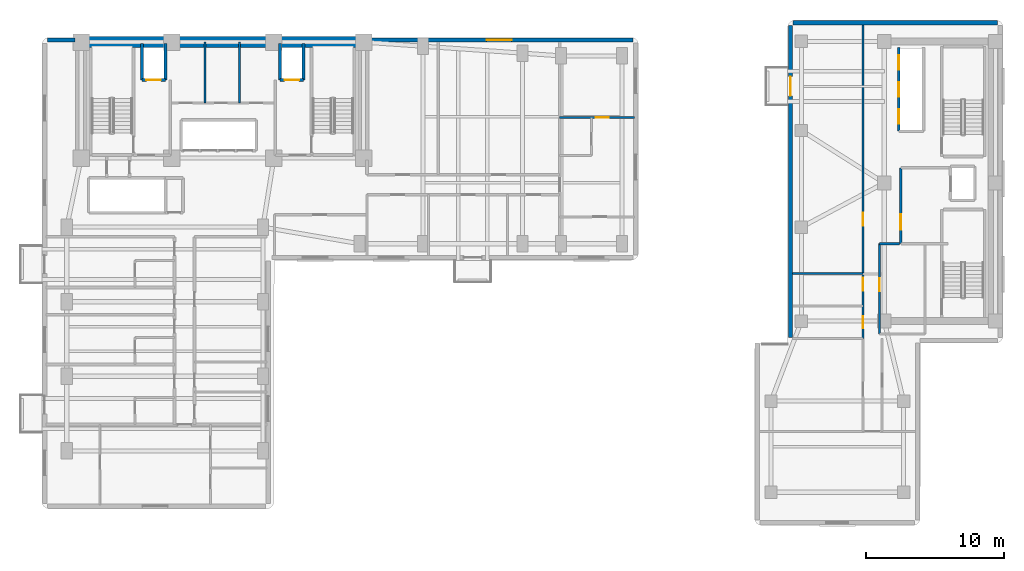
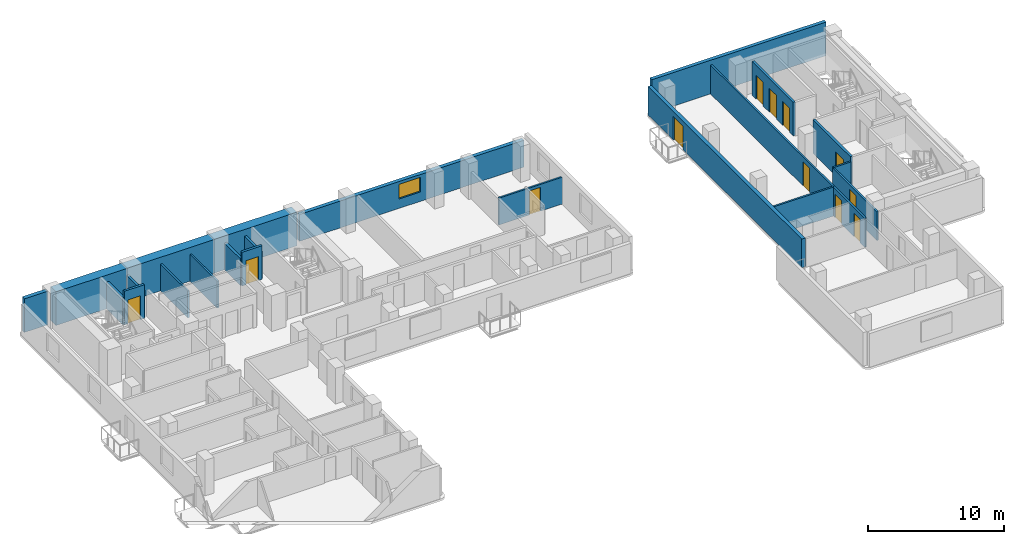
# One storey, part 6 of 11: 20 walls, 12 doors, 1 window, 13 openings.
"""IFC4 building model written with IfcOpenShell, lengths in metres."""

from ifc_helpers import new_model, si_unit, direction, frame, frame_2d, origin, place, context, subcontext, project, spatial, rectangle, extrude, material, layer, layer_set, type_object, element, fill, save


model = new_model("IFC4")

# Units and contexts
model_context = context("Model", 3, precision=1e-05, world=origin(), true_north=direction((0.0, 1.0)))
body_context = subcontext(model_context, "Body", "Model", "MODEL_VIEW")
ifc_project = project(units=[si_unit("LENGTHUNIT", "METRE"), si_unit("AREAUNIT", "SQUARE_METRE"), si_unit("VOLUMEUNIT", "CUBIC_METRE"), si_unit("PLANEANGLEUNIT", "RADIAN"), si_unit("MASSUNIT", "GRAM", prefix="KILO")], contexts=[model_context])

# Site, building, storey
site_placement = place(None, origin())
site = spatial("IfcSite", under=ifc_project, at=site_placement, CompositionType="ELEMENT")
building_placement = place(site_placement, origin())
building = spatial("IfcBuilding", under=site, at=building_placement, Name="Kuzgunbayir Cultural Tower", CompositionType="ELEMENT")
storey_placement = place(building_placement, frame((0.0, 0.0, 83.39990234375)))
storey = spatial("IfcBuildingStorey", under=building, at=storey_placement, Name="L23", CompositionType="ELEMENT", Elevation=83.39990234375)

# Wall
ifc_material_1 = material(Name="Concrete C60/75", Category="concrete")
ifc_layer_1 = layer(ifc_material_1, 0.800048828125)
ifc_layer_set_1 = layer_set([ifc_layer_1], Name="Concrete C60/75")
wall_type_1 = type_object("IfcWallType", Name="WAL-CORE-800", PredefinedType="SHEAR", material=ifc_layer_set_1)
wall_1_placement = place(storey_placement, frame((6.449951171875, 42.199951171875, 0.0), z_axis=(0.0, 0.0, 1.0), x_axis=(1.0, 0.0, 0.0)))
element("IfcWall", 1, at=wall_1_placement, inside=storey, type_object=wall_type_1, Name="L23 T1 Core North Shear Wall", PredefinedType="SHEAR", context=body_context, shape_type="SweptSolid", body=[
    extrude(rectangle(XDim=20.449951171875, YDim=0.800048828125, at=frame_2d((10.22509765625, 0.0))), origin(), (0.0, 0.0, 1.0), 3.02001953125),
])

# Wall, opening, door
ifc_material_2 = material(Name="Anatolian Cream Limestone", Category="masonry")
ifc_layer_2 = layer(ifc_material_2, 0.300048828125)
ifc_layer_set_2 = layer_set([ifc_layer_2], Name="Anatolian Cream Limestone")
wall_type_2 = type_object("IfcWallType", Name="WAL-EXT-STONE-300", PredefinedType="STANDARD", material=ifc_layer_set_2)
wall_2_placement = place(storey_placement, frame((57.800048828125, 43.39990234375, 0.0), z_axis=(0.0, 0.0, 1.0), x_axis=(0.0, -1.0, 0.0)))
wall_2 = element("IfcWall", 2, at=wall_2_placement, inside=storey, type_object=wall_type_2, Name="L23 Companion West Limestone Wall", PredefinedType="STANDARD", context=body_context, shape_type="SweptSolid", body=[
    extrude(rectangle(XDim=22.599853515625, YDim=0.300048828125, at=frame_2d((11.2998046875, 0.0))), origin(), (0.0, 0.0, 1.0), 2.570068359375),
])
opening_1_placement = place(wall_2_placement, frame((3.699951171875, 0.0, 0.0)))
opening_1 = element("IfcOpeningElement", 3, at=opening_1_placement, cuts=wall_2, Name="Opening BD-15", PredefinedType="OPENING", context=body_context, shape_type="SweptSolid", body=[
    extrude(rectangle(XDim=1.39990234375, YDim=2.10009765625, at=frame_2d((0.699951171875, 1.050048828125))), frame((0.0, 0.16015625, 0.0), z_axis=(0.0, -1.0, 0.0), x_axis=(1.0, 0.0, 0.0)), (0.0, 0.0, 1.0), 0.320068359375),
])
ifc_material_3 = material(Name="Thermally Broken Glazed Aluminium", Category="aluminium")
door_type_1 = type_object("IfcDoorType", Name="DR-BALCONY-150", OperationType="SLIDING_TO_RIGHT", PredefinedType="DOOR", material=ifc_material_3)
door_1_placement = place(opening_1_placement, origin())
door_1 = element("IfcDoor", 4, at=door_1_placement, inside=storey, type_object=door_type_1, Name="L23 Companion Balcony Door BAL-L23-T2W3", OperationType="SLIDING_TO_RIGHT", OverallHeight=2.10009765625, OverallWidth=1.39990234375, PredefinedType="DOOR", context=body_context, shape_type="SweptSolid", body=[
    extrude(rectangle(XDim=1.39990234375, YDim=2.10009765625, at=frame_2d((0.699951171875, 1.050048828125))), frame((0.0, 0.02490234375, 0.0), z_axis=(0.0, -1.0, 0.0), x_axis=(1.0, 0.0, 0.0)), (0.0, 0.0, 1.0), 0.050048828125),
])
fill(opening_1, door_1)

# Wall
wall_3_placement = place(storey_placement, frame((72.800048828125, 43.60009765625, 0.0), z_axis=(0.0, 0.0, 1.0), x_axis=(-1.0, 0.0, 0.0)))
element("IfcWall", 5, at=wall_3_placement, inside=storey, type_object=wall_type_2, Name="L23 Companion North Limestone Wall", PredefinedType="STANDARD", context=body_context, shape_type="SweptSolid", body=[
    extrude(rectangle(XDim=14.800048828125, YDim=0.300048828125, at=frame_2d((7.39990234375, 0.0))), origin(), (0.0, 0.0, 1.0), 3.02001953125),
])

# Wall, opening, window
ifc_material_4 = material(Name="Travertine Buff Ashlar", Category="masonry")
ifc_layer_3 = layer(ifc_material_4, 0.320068359375)
ifc_layer_set_3 = layer_set([ifc_layer_3], Name="Travertine Buff Ashlar")
wall_type_3 = type_object("IfcWallType", Name="WAL-EXT-STONE-320", PredefinedType="STANDARD", material=ifc_layer_set_3)
wall_4_placement = place(storey_placement, frame((46.39990234375, 42.35009765625, 0.0), z_axis=(0.0, 0.0, 1.0), x_axis=(-1.0, 0.0, 0.0)))
wall_4 = element("IfcWall", 6, at=wall_4_placement, inside=storey, type_object=wall_type_3, Name="L23 North Wing B Limestone Wall", PredefinedType="STANDARD", context=body_context, shape_type="SweptSolid", body=[
    extrude(rectangle(XDim=19.0498046875, YDim=0.320068359375, at=frame_2d((9.52490234375, 0.0))), origin(), (0.0, 0.0, 1.0), 2.41015625),
])
opening_2_placement = place(wall_4_placement, frame((8.7900390625, 0.0, 0.85009765625)))
opening_2 = element("IfcOpeningElement", 7, at=opening_2_placement, cuts=wall_4, Name="Opening WH-18", PredefinedType="OPENING", context=body_context, shape_type="SweptSolid", body=[
    extrude(rectangle(XDim=1.800048828125, YDim=1.31005859375, at=frame_2d((0.89990234375, 0.655029296875))), frame((0.0, 0.169921875, 0.0), z_axis=(0.0, -1.0, 0.0), x_axis=(1.0, 0.0, 0.0)), (0.0, 0.0, 1.0), 0.340087890625),
])
ifc_material_5 = material(Name="Solar-Control Triple Glazing", Category="glass")
window_type = type_object("IfcWindowType", Name="WIN-HOTEL-18", PartitioningType="SINGLE_PANEL", PredefinedType="WINDOW", material=ifc_material_5)
window_placement = place(opening_2_placement, origin())
window = element("IfcWindow", 8, at=window_placement, inside=storey, type_object=window_type, Name="L23 CRN Facade Window 6", OverallHeight=1.31005859375, OverallWidth=1.800048828125, PartitioningType="SINGLE_PANEL", PredefinedType="WINDOW", context=body_context, shape_type="SweptSolid", body=[
    extrude(rectangle(XDim=1.800048828125, YDim=1.31005859375, at=frame_2d((0.89990234375, 0.655029296875))), frame((0.0, 0.030029296875, 0.0), z_axis=(0.0, -1.0, 0.0), x_axis=(1.0, 0.0, 0.0)), (0.0, 0.0, 1.0), 0.06005859375),
])
fill(opening_2, window)

# Walls
wall_5_placement = place(storey_placement, frame((6.0, 42.35009765625, 0.0), z_axis=(0.0, 0.0, 1.0), x_axis=(-1.0, 0.0, 0.0)))
element("IfcWall", 9, at=wall_5_placement, inside=storey, type_object=wall_type_3, Name="L23 Core North-West Spandrel Link", PredefinedType="STANDARD", context=body_context, shape_type="SweptSolid", body=[
    extrude(rectangle(XDim=2.0, YDim=0.320068359375, at=frame_2d((1.0, 0.0))), origin(), (0.0, 0.0, 1.0), 3.02001953125),
])
ifc_material_6 = material(Name="Acoustic Double-Stud Drywall", Category="gypsum")
ifc_layer_4 = layer(ifc_material_6, 0.14990234375)
ifc_layer_set_4 = layer_set([ifc_layer_4], Name="Acoustic Double-Stud Drywall")
wall_type_4 = type_object("IfcWallType", Name="WAL-PART-ACOUSTIC-150", PredefinedType="PARTITIONING", material=ifc_layer_set_4)
for number, where, z_axis, x_axis, name in (
    (10, (15.39990234375, 37.800048828125, 0.0), (0.0, 0.0, 1.0), (0.0, 1.0, 0.0), "L23 Core Pod Partition 1"),
    (11, (17.89990234375, 37.800048828125, 0.0), (0.0, 0.0, 1.0), (0.0, 1.0, 0.0), "L23 Core Pod Partition 2"),
):
    element("IfcWall", number, at=place(storey_placement, frame(where, z_axis=z_axis, x_axis=x_axis)), inside=storey, type_object=wall_type_4, Name=name, PredefinedType="PARTITIONING", context=body_context, shape_type="SweptSolid", body=[
        extrude(rectangle(XDim=4.39990234375, YDim=0.14990234375, at=frame_2d((2.199951171875, 0.0))), origin(), (0.0, 0.0, 1.0), 2.41015625),
    ])

# Wall, opening, door
wall_6_placement = place(storey_placement, frame((41.10009765625, 36.75, 0.0), z_axis=(0.0, 0.0, 1.0), x_axis=(1.0, 0.0, 0.0)))
wall_6 = element("IfcWall", 12, at=wall_6_placement, inside=storey, type_object=wall_type_4, Name="L23 Corner Suite Bedroom Wall", PredefinedType="PARTITIONING", context=body_context, shape_type="SweptSolid", body=[
    extrude(rectangle(XDim=5.39990234375, YDim=0.14990234375, at=frame_2d((2.699951171875, 0.0))), origin(), (0.0, 0.0, 1.0), 2.41015625),
])
opening_3_placement = place(wall_6_placement, frame((2.590087890625, 0.0, 0.0)))
opening_3 = element("IfcOpeningElement", 13, at=opening_3_placement, cuts=wall_6, Name="Opening DI-90", PredefinedType="OPENING", context=body_context, shape_type="SweptSolid", body=[
    extrude(rectangle(XDim=0.949951171875, YDim=2.14990234375, at=frame_2d((0.47509765625, 1.074951171875))), frame((0.0, 0.0849609375, 0.0), z_axis=(0.0, -1.0, 0.0), x_axis=(1.0, 0.0, 0.0)), (0.0, 0.0, 1.0), 0.169921875),
])
ifc_material_7 = material(Name="Veneered Oak Single Leaf", Category="wood")
door_type_2 = type_object("IfcDoorType", Name="DR-INT-90", OperationType="NOTDEFINED", PredefinedType="DOOR", material=ifc_material_7)
door_2_placement = place(opening_3_placement, origin())
door_2 = element("IfcDoor", 14, at=door_2_placement, inside=storey, type_object=door_type_2, Name="L23 Corner Bedroom Door", OperationType="SINGLE_SWING_RIGHT", OverallHeight=2.14990234375, OverallWidth=0.949951171875, PredefinedType="DOOR", context=body_context, shape_type="SweptSolid", body=[
    extrude(rectangle(XDim=0.949951171875, YDim=2.14990234375, at=frame_2d((0.47509765625, 1.074951171875))), frame((0.0, 0.02490234375, 0.0), z_axis=(0.0, -1.0, 0.0), x_axis=(1.0, 0.0, 0.0)), (0.0, 0.0, 1.0), 0.050048828125),
])
fill(opening_3, door_2)

wall_7_placement = place(storey_placement, frame((64.25, 21.050048828125, 0.0), z_axis=(0.0, 0.0, 1.0), x_axis=(0.0, 1.0, 0.0)))
wall_7 = element("IfcWall", 15, at=wall_7_placement, inside=storey, type_object=wall_type_4, Name="L23 Companion Archive West Wall", PredefinedType="PARTITIONING", context=body_context, shape_type="SweptSolid", body=[
    extrude(rectangle(XDim=6.550048828125, YDim=0.14990234375, at=frame_2d((3.27490234375, 0.0))), origin(), (0.0, 0.0, 1.0), 2.570068359375),
])
opening_4_placement = place(wall_7_placement, frame((3.10009765625, 0.0, 0.0)))
opening_4 = element("IfcOpeningElement", 16, at=opening_4_placement, cuts=wall_7, Name="Opening DI-90", PredefinedType="OPENING", context=body_context, shape_type="SweptSolid", body=[
    extrude(rectangle(XDim=0.949951171875, YDim=2.14990234375, at=frame_2d((0.47509765625, 1.074951171875))), frame((0.0, 0.0849609375, 0.0), z_axis=(0.0, -1.0, 0.0), x_axis=(1.0, 0.0, 0.0)), (0.0, 0.0, 1.0), 0.169921875),
])
door_3_placement = place(opening_4_placement, origin())
door_3 = element("IfcDoor", 17, at=door_3_placement, inside=storey, type_object=door_type_2, Name="L23 Companion Archive Door", OperationType="SINGLE_SWING_RIGHT", OverallHeight=2.14990234375, OverallWidth=0.949951171875, PredefinedType="DOOR", context=body_context, shape_type="SweptSolid", body=[
    extrude(rectangle(XDim=0.949951171875, YDim=2.14990234375, at=frame_2d((0.47509765625, 1.074951171875))), frame((0.0, 0.02490234375, 0.0), z_axis=(0.0, -1.0, 0.0), x_axis=(1.0, 0.0, 0.0)), (0.0, 0.0, 1.0), 0.050048828125),
])
fill(opening_4, door_3)

# Wall
wall_8_placement = place(storey_placement, frame((64.25, 27.60009765625, 0.0), z_axis=(0.0, 0.0, 1.0), x_axis=(1.0, 0.0, 0.0)))
element("IfcWall", 18, at=wall_8_placement, inside=storey, type_object=wall_type_4, Name="L23 Companion Archive North Wall", PredefinedType="PARTITIONING", context=body_context, shape_type="SweptSolid", body=[
    extrude(rectangle(XDim=1.469970703125, YDim=0.14990234375, at=frame_2d((0.73486328125, 0.0))), origin(), (0.0, 0.0, 1.0), 2.60009765625),
])

# Wall, openings, doors
wall_9_placement = place(storey_placement, frame((63.050048828125, 20.75, 0.0), z_axis=(0.0, 0.0, 1.0), x_axis=(0.0, 1.0, 0.0)))
wall_9 = element("IfcWall", 19, at=wall_9_placement, inside=storey, type_object=wall_type_4, Name="L23 Companion Corridor West Wall", PredefinedType="PARTITIONING", context=body_context, shape_type="SweptSolid", body=[
    extrude(rectangle(XDim=22.699951171875, YDim=0.14990234375, at=frame_2d((11.35009765625, 0.0))), origin(), (0.0, 0.0, 1.0), 2.60009765625),
])
opening_5_placement = place(wall_9_placement, frame((0.72998046875, 0.0, 0.0)))
opening_5 = element("IfcOpeningElement", 20, at=opening_5_placement, cuts=wall_9, Name="Opening DW-85", PredefinedType="OPENING", context=body_context, shape_type="SweptSolid", body=[
    extrude(rectangle(XDim=0.85009765625, YDim=2.10009765625, at=frame_2d((0.425048828125, 1.050048828125))), frame((0.0, 0.0849609375, 0.0), z_axis=(0.0, -1.0, 0.0), x_axis=(1.0, 0.0, 0.0)), (0.0, 0.0, 1.0), 0.169921875),
])
opening_6_placement = place(wall_9_placement, frame((3.429931640625, 0.0, 0.0)))
opening_6 = element("IfcOpeningElement", 21, at=opening_6_placement, cuts=wall_9, Name="Opening DW-95", PredefinedType="OPENING", context=body_context, shape_type="SweptSolid", body=[
    extrude(rectangle(XDim=0.949951171875, YDim=2.10009765625, at=frame_2d((0.47509765625, 1.050048828125))), frame((0.0, 0.0849609375, 0.0), z_axis=(0.0, -1.0, 0.0), x_axis=(1.0, 0.0, 0.0)), (0.0, 0.0, 1.0), 0.169921875),
])
opening_7_placement = place(wall_9_placement, frame((8.14990234375, 0.0, 0.0)))
opening_7 = element("IfcOpeningElement", 22, at=opening_7_placement, cuts=wall_9, Name="Opening DI-90", PredefinedType="OPENING", context=body_context, shape_type="SweptSolid", body=[
    extrude(rectangle(XDim=0.949951171875, YDim=2.14990234375, at=frame_2d((0.47509765625, 1.074951171875))), frame((0.0, 0.0849609375, 0.0), z_axis=(0.0, -1.0, 0.0), x_axis=(1.0, 0.0, 0.0)), (0.0, 0.0, 1.0), 0.169921875),
])
door_4_placement = place(opening_7_placement, origin())
door_4 = element("IfcDoor", 23, at=door_4_placement, inside=storey, type_object=door_type_2, Name="L23 Companion Fellows Reading Lounge 1 Door", OperationType="SINGLE_SWING_LEFT", OverallHeight=2.14990234375, OverallWidth=0.949951171875, PredefinedType="DOOR", context=body_context, shape_type="SweptSolid", body=[
    extrude(rectangle(XDim=0.949951171875, YDim=2.14990234375, at=frame_2d((0.47509765625, 1.074951171875))), frame((0.0, 0.02490234375, 0.0), z_axis=(0.0, -1.0, 0.0), x_axis=(1.0, 0.0, 0.0)), (0.0, 0.0, 1.0), 0.050048828125),
])
fill(opening_7, door_4)
ifc_material_8 = material(Name="Laminate Moisture-Resistant Leaf", Category="wood")
door_type_3 = type_object("IfcDoorType", Name="DR-WET-85", OperationType="NOTDEFINED", PredefinedType="DOOR", material=ifc_material_8)
door_5_placement = place(opening_5_placement, origin())
door_5 = element("IfcDoor", 24, at=door_5_placement, inside=storey, type_object=door_type_3, Name="L23 Companion WC Door", OperationType="SINGLE_SWING_LEFT", OverallHeight=2.10009765625, OverallWidth=0.85009765625, PredefinedType="DOOR", context=body_context, shape_type="SweptSolid", body=[
    extrude(rectangle(XDim=0.85009765625, YDim=2.10009765625, at=frame_2d((0.425048828125, 1.050048828125))), frame((0.0, 0.02490234375, 0.0), z_axis=(0.0, -1.0, 0.0), x_axis=(1.0, 0.0, 0.0)), (0.0, 0.0, 1.0), 0.050048828125),
])
fill(opening_5, door_5)
door_type_4 = type_object("IfcDoorType", Name="DR-WET-95", OperationType="NOTDEFINED", PredefinedType="DOOR", material=ifc_material_8)
door_6_placement = place(opening_6_placement, origin())
door_6 = element("IfcDoor", 25, at=door_6_placement, inside=storey, type_object=door_type_4, Name="L23 Companion Accessible WC Door", OperationType="SINGLE_SWING_RIGHT", OverallHeight=2.10009765625, OverallWidth=0.949951171875, PredefinedType="DOOR", context=body_context, shape_type="SweptSolid", body=[
    extrude(rectangle(XDim=0.949951171875, YDim=2.10009765625, at=frame_2d((0.47509765625, 1.050048828125))), frame((0.0, 0.02490234375, 0.0), z_axis=(0.0, -1.0, 0.0), x_axis=(1.0, 0.0, 0.0)), (0.0, 0.0, 1.0), 0.050048828125),
])
fill(opening_6, door_6)

# Wall, opening, door
ifc_material_9 = material(Name="Aerated Concrete Blockwork", Category="masonry")
ifc_layer_5 = layer(ifc_material_9, 0.199951171875)
ifc_layer_set_5 = layer_set([ifc_layer_5], Name="Aerated Concrete Blockwork")
wall_type_5 = type_object("IfcWallType", Name="WAL-PART-FIRE-200", PredefinedType="PARTITIONING", material=ifc_layer_set_5)
wall_10_placement = place(storey_placement, frame((65.800048828125, 27.60009765625, 0.0), z_axis=(0.0, 0.0, 1.0), x_axis=(0.0, 1.0, 0.0)))
wall_10 = element("IfcWall", 26, at=wall_10_placement, inside=storey, type_object=wall_type_5, Name="L23 FFL-3 Lobby West Fire Wall", PredefinedType="PARTITIONING", context=body_context, shape_type="SweptSolid", body=[
    extrude(rectangle(XDim=5.5, YDim=0.199951171875, at=frame_2d((2.75, 0.0))), origin(), (0.0, 0.0, 1.0), 3.02001953125),
])
opening_8_placement = place(wall_10_placement, frame((1.0, 0.0, 0.0)))
opening_8 = element("IfcOpeningElement", 27, at=opening_8_placement, cuts=wall_10, Name="Opening DR-FFL-90", PredefinedType="OPENING", context=body_context, shape_type="SweptSolid", body=[
    extrude(rectangle(XDim=1.14990234375, YDim=2.14990234375, at=frame_2d((0.574951171875, 1.074951171875))), frame((0.0, 0.10986328125, 0.0), z_axis=(0.0, -1.0, 0.0), x_axis=(1.0, 0.0, 0.0)), (0.0, 0.0, 1.0), 0.219970703125),
])
ifc_material_10 = material(Name="Steel S355J2", Category="steel")
door_type_5 = type_object("IfcDoorType", Name="DR-FFL-90", OperationType="NOTDEFINED", PredefinedType="DOOR", material=ifc_material_10)
door_7_placement = place(opening_8_placement, origin())
door_7 = element("IfcDoor", 28, at=door_7_placement, inside=storey, type_object=door_type_5, Name="L23 Firefighting Lobby 3 Door", OperationType="SINGLE_SWING_RIGHT", OverallHeight=2.14990234375, OverallWidth=1.14990234375, PredefinedType="DOOR", context=body_context, shape_type="SweptSolid", body=[
    extrude(rectangle(XDim=1.14990234375, YDim=2.14990234375, at=frame_2d((0.574951171875, 1.074951171875))), frame((0.0, 0.02490234375, 0.0), z_axis=(0.0, -1.0, 0.0), x_axis=(1.0, 0.0, 0.0)), (0.0, 0.0, 1.0), 0.050048828125),
])
fill(opening_8, door_7)

# Wall
ifc_material_11 = material(Name="Moisture-Resistant Tile Partition", Category="gypsum")
ifc_layer_6 = layer(ifc_material_11, 0.14990234375)
ifc_layer_set_6 = layer_set([ifc_layer_6], Name="Moisture-Resistant Tile Partition")
wall_type_6 = type_object("IfcWallType", Name="WAL-PART-WET-150", PredefinedType="PARTITIONING", material=ifc_layer_set_6)
wall_11_placement = place(storey_placement, frame((57.949951171875, 25.449951171875, 0.0), z_axis=(0.0, 0.0, 1.0), x_axis=(1.0, 0.0, 0.0)))
element("IfcWall", 29, at=wall_11_placement, inside=storey, type_object=wall_type_6, Name="L23 Companion Accessible WC Wall", PredefinedType="PARTITIONING", context=body_context, shape_type="SweptSolid", body=[
    extrude(rectangle(XDim=5.10009765625, YDim=0.14990234375, at=frame_2d((2.550048828125, 0.0))), origin(), (0.0, 0.0, 1.0), 2.60009765625),
])

# Wall, opening, door
ifc_material_12 = material(Name="Concrete C40/50", Category="concrete")
ifc_layer_7 = layer(ifc_material_12, 0.199951171875)
ifc_layer_set_7 = layer_set([ifc_layer_7], Name="Concrete C40/50")
wall_type_7 = type_object("IfcWallType", Name="WAL-SHAFT-200", PredefinedType="MOVABLE", material=ifc_layer_set_7)
wall_12_placement = place(storey_placement, frame((10.85009765625, 39.449951171875, 0.0), z_axis=(0.0, 0.0, 1.0), x_axis=(1.0, 0.0, 0.0)))
wall_12 = element("IfcWall", 30, at=wall_12_placement, inside=storey, type_object=wall_type_7, Name="L23 FFL-1 Lift Front Wall", PredefinedType="MOVABLE", context=body_context, shape_type="SweptSolid", body=[
    extrude(rectangle(XDim=1.699951171875, YDim=0.199951171875, at=frame_2d((0.85009765625, 0.0))), origin(), (0.0, 0.0, 1.0), 3.02001953125),
])
opening_9_placement = place(wall_12_placement, frame((0.320068359375, 0.0, 0.0)))
opening_9 = element("IfcOpeningElement", 31, at=opening_9_placement, cuts=wall_12, Name="Opening LD", PredefinedType="OPENING", context=body_context, shape_type="SweptSolid", body=[
    extrude(rectangle(XDim=1.050048828125, YDim=2.14990234375, at=frame_2d((0.52490234375, 1.074951171875))), frame((0.0, 0.10986328125, 0.0), z_axis=(0.0, -1.0, 0.0), x_axis=(1.0, 0.0, 0.0)), (0.0, 0.0, 1.0), 0.219970703125),
])
ifc_material_13 = material(Name="Brushed Stainless Steel", Category="steel")
door_type_6 = type_object("IfcDoorType", Name="DR-LIFT-LANDING", OperationType="SLIDING_TO_LEFT", PredefinedType="DOOR", material=ifc_material_13)
door_8_placement = place(opening_9_placement, origin())
door_8 = element("IfcDoor", 32, at=door_8_placement, inside=storey, type_object=door_type_6, Name="L23 Lift FFL-1 Landing Door", OperationType="SLIDING_TO_LEFT", OverallHeight=2.14990234375, OverallWidth=1.050048828125, PredefinedType="DOOR", context=body_context, shape_type="SweptSolid", body=[
    extrude(rectangle(XDim=1.050048828125, YDim=2.14990234375, at=frame_2d((0.52490234375, 1.074951171875))), frame((0.0, 0.02490234375, 0.0), z_axis=(0.0, -1.0, 0.0), x_axis=(1.0, 0.0, 0.0)), (0.0, 0.0, 1.0), 0.050048828125),
])
fill(opening_9, door_8)

wall_13_placement = place(storey_placement, frame((20.85009765625, 39.449951171875, 0.0), z_axis=(0.0, 0.0, 1.0), x_axis=(1.0, 0.0, 0.0)))
wall_13 = element("IfcWall", 33, at=wall_13_placement, inside=storey, type_object=wall_type_7, Name="L23 FFL-2 Lift Front Wall", PredefinedType="MOVABLE", context=body_context, shape_type="SweptSolid", body=[
    extrude(rectangle(XDim=1.699951171875, YDim=0.199951171875, at=frame_2d((0.85009765625, 0.0))), origin(), (0.0, 0.0, 1.0), 3.02001953125),
])
opening_10_placement = place(wall_13_placement, frame((0.320068359375, 0.0, 0.0)))
opening_10 = element("IfcOpeningElement", 34, at=opening_10_placement, cuts=wall_13, Name="Opening LD", PredefinedType="OPENING", context=body_context, shape_type="SweptSolid", body=[
    extrude(rectangle(XDim=1.050048828125, YDim=2.14990234375, at=frame_2d((0.52490234375, 1.074951171875))), frame((0.0, 0.10986328125, 0.0), z_axis=(0.0, -1.0, 0.0), x_axis=(1.0, 0.0, 0.0)), (0.0, 0.0, 1.0), 0.219970703125),
])
door_9_placement = place(opening_10_placement, origin())
door_9 = element("IfcDoor", 35, at=door_9_placement, inside=storey, type_object=door_type_6, Name="L23 Lift FFL-2 Landing Door", OperationType="SLIDING_TO_LEFT", OverallHeight=2.14990234375, OverallWidth=1.050048828125, PredefinedType="DOOR", context=body_context, shape_type="SweptSolid", body=[
    extrude(rectangle(XDim=1.050048828125, YDim=2.14990234375, at=frame_2d((0.52490234375, 1.074951171875))), frame((0.0, 0.02490234375, 0.0), z_axis=(0.0, -1.0, 0.0), x_axis=(1.0, 0.0, 0.0)), (0.0, 0.0, 1.0), 0.050048828125),
])
fill(opening_10, door_9)

# Walls
for number, where, z_axis, x_axis, name in (
    (36, (10.85009765625, 39.449951171875, 0.0), (0.0, 0.0, 1.0), (0.0, 1.0, 0.0), "L23 FFL-1 Shaft West Wall"),
    (37, (12.550048828125, 39.449951171875, 0.0), (0.0, 0.0, 1.0), (0.0, 1.0, 0.0), "L23 FFL-1 Shaft East Wall"),
    (38, (20.85009765625, 39.449951171875, 0.0), (0.0, 0.0, 1.0), (0.0, 1.0, 0.0), "L23 FFL-2 Shaft West Wall"),
    (39, (22.550048828125, 39.449951171875, 0.0), (0.0, 0.0, 1.0), (0.0, 1.0, 0.0), "L23 FFL-2 Shaft East Wall"),
):
    element("IfcWall", number, at=place(storey_placement, frame(where, z_axis=z_axis, x_axis=x_axis)), inside=storey, type_object=wall_type_7, Name=name, PredefinedType="MOVABLE", context=body_context, shape_type="SweptSolid", body=[
        extrude(rectangle(XDim=2.650146484375, YDim=0.199951171875, at=frame_2d((1.3251953125, 0.0))), origin(), (0.0, 0.0, 1.0), 2.41015625),
    ])

# Wall, openings, doors
wall_14_placement = place(storey_placement, frame((65.64990234375, 35.75, 0.0), z_axis=(0.0, 0.0, 1.0), x_axis=(0.0, 1.0, 0.0)))
wall_14 = element("IfcWall", 40, at=wall_14_placement, inside=storey, type_object=wall_type_7, Name="L23 Companion Lift Front Wall", PredefinedType="MOVABLE", context=body_context, shape_type="SweptSolid", body=[
    extrude(rectangle(XDim=6.050048828125, YDim=0.199951171875, at=frame_2d((3.02490234375, 0.0))), origin(), (0.0, 0.0, 1.0), 3.02001953125),
])
opening_11_placement = place(wall_14_placement, frame((0.52001953125, 0.0, 0.0)))
opening_11 = element("IfcOpeningElement", 41, at=opening_11_placement, cuts=wall_14, Name="Opening LD", PredefinedType="OPENING", context=body_context, shape_type="SweptSolid", body=[
    extrude(rectangle(XDim=1.050048828125, YDim=2.14990234375, at=frame_2d((0.52490234375, 1.074951171875))), frame((0.0, 0.10986328125, 0.0), z_axis=(0.0, -1.0, 0.0), x_axis=(1.0, 0.0, 0.0)), (0.0, 0.0, 1.0), 0.219970703125),
])
opening_12_placement = place(wall_14_placement, frame((2.47998046875, 0.0, 0.0)))
opening_12 = element("IfcOpeningElement", 42, at=opening_12_placement, cuts=wall_14, Name="Opening LD", PredefinedType="OPENING", context=body_context, shape_type="SweptSolid", body=[
    extrude(rectangle(XDim=1.050048828125, YDim=2.14990234375, at=frame_2d((0.52490234375, 1.074951171875))), frame((0.0, 0.10986328125, 0.0), z_axis=(0.0, -1.0, 0.0), x_axis=(1.0, 0.0, 0.0)), (0.0, 0.0, 1.0), 0.219970703125),
])
opening_13_placement = place(wall_14_placement, frame((4.429931640625, 0.0, 0.0)))
opening_13 = element("IfcOpeningElement", 43, at=opening_13_placement, cuts=wall_14, Name="Opening LD", PredefinedType="OPENING", context=body_context, shape_type="SweptSolid", body=[
    extrude(rectangle(XDim=1.050048828125, YDim=2.14990234375, at=frame_2d((0.52490234375, 1.074951171875))), frame((0.0, 0.10986328125, 0.0), z_axis=(0.0, -1.0, 0.0), x_axis=(1.0, 0.0, 0.0)), (0.0, 0.0, 1.0), 0.219970703125),
])
door_10_placement = place(opening_11_placement, origin())
door_10 = element("IfcDoor", 44, at=door_10_placement, inside=storey, type_object=door_type_6, Name="L23 Lift PC-1 Landing Door", OperationType="SLIDING_TO_LEFT", OverallHeight=2.14990234375, OverallWidth=1.050048828125, PredefinedType="DOOR", context=body_context, shape_type="SweptSolid", body=[
    extrude(rectangle(XDim=1.050048828125, YDim=2.14990234375, at=frame_2d((0.52490234375, 1.074951171875))), frame((0.0, 0.02490234375, 0.0), z_axis=(0.0, -1.0, 0.0), x_axis=(1.0, 0.0, 0.0)), (0.0, 0.0, 1.0), 0.050048828125),
])
fill(opening_11, door_10)
door_11_placement = place(opening_12_placement, origin())
door_11 = element("IfcDoor", 45, at=door_11_placement, inside=storey, type_object=door_type_6, Name="L23 Lift PC-2 Landing Door", OperationType="SLIDING_TO_LEFT", OverallHeight=2.14990234375, OverallWidth=1.050048828125, PredefinedType="DOOR", context=body_context, shape_type="SweptSolid", body=[
    extrude(rectangle(XDim=1.050048828125, YDim=2.14990234375, at=frame_2d((0.52490234375, 1.074951171875))), frame((0.0, 0.02490234375, 0.0), z_axis=(0.0, -1.0, 0.0), x_axis=(1.0, 0.0, 0.0)), (0.0, 0.0, 1.0), 0.050048828125),
])
fill(opening_12, door_11)
door_12_placement = place(opening_13_placement, origin())
door_12 = element("IfcDoor", 46, at=door_12_placement, inside=storey, type_object=door_type_6, Name="L23 Lift PC-3 Landing Door", OperationType="SLIDING_TO_LEFT", OverallHeight=2.14990234375, OverallWidth=1.050048828125, PredefinedType="DOOR", context=body_context, shape_type="SweptSolid", body=[
    extrude(rectangle(XDim=1.050048828125, YDim=2.14990234375, at=frame_2d((0.52490234375, 1.074951171875))), frame((0.0, 0.02490234375, 0.0), z_axis=(0.0, -1.0, 0.0), x_axis=(1.0, 0.0, 0.0)), (0.0, 0.0, 1.0), 0.050048828125),
])
fill(opening_13, door_12)

save(model, "model.ifc")
